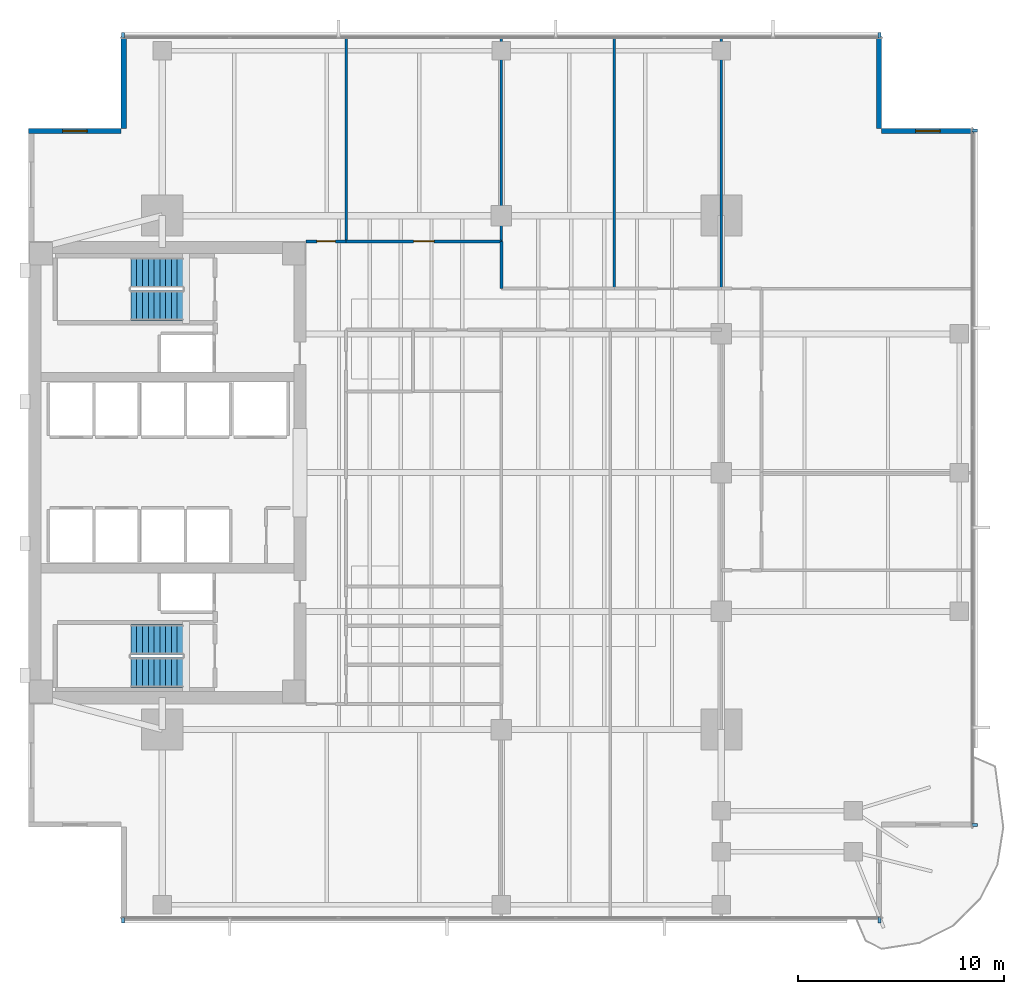
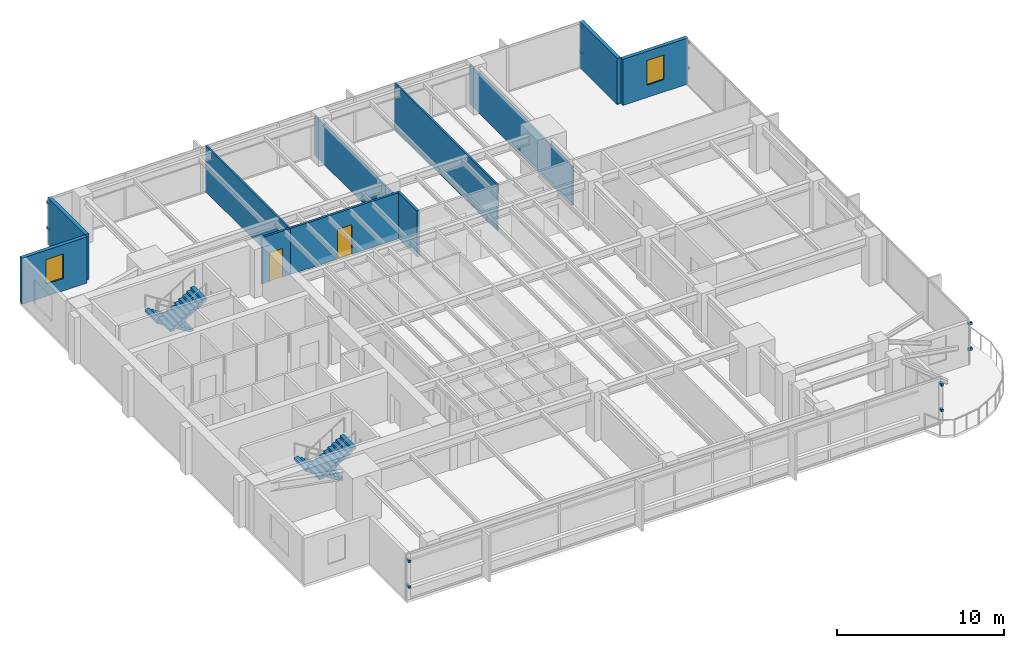
# One storey, part 10 of 14: 12 discrete accessories, 11 walls, 4 stair flights, 2 doors, 2 windows, 4 openings, 2 elements without a shape of their own.
"""IFC4 building model written with IfcOpenShell, lengths in metres."""

from ifc_helpers import new_model, si_unit, direction, frame, frame_2d, origin, origin_2d, place, context, subcontext, project, spatial, polyline, rectangle, outline, extrude, material, layer, layer_set, type_object, element, fill, aggregate, save


model = new_model("IFC4")

# Units and contexts
model_context = context("Model", 3, precision=1e-05, world=origin(), true_north=direction((0.0, 1.0)))
body_context = subcontext(model_context, "Body", "Model", "MODEL_VIEW")
ifc_project = project(units=[si_unit("LENGTHUNIT", "METRE"), si_unit("AREAUNIT", "SQUARE_METRE"), si_unit("VOLUMEUNIT", "CUBIC_METRE"), si_unit("PLANEANGLEUNIT", "RADIAN"), si_unit("MASSUNIT", "GRAM", prefix="KILO")], contexts=[model_context])

# Site, building, storey
site_placement = place(None, origin())
site = spatial("IfcSite", under=ifc_project, at=site_placement, CompositionType="ELEMENT")
building_placement = place(site_placement, origin())
building = spatial("IfcBuilding", under=site, at=building_placement, Name="Kinhvarn Gate Tower", CompositionType="ELEMENT")
storey_placement = place(building_placement, frame((0.0, 0.0, 120.0)))
storey = spatial("IfcBuildingStorey", under=building, at=storey_placement, Name="L31", CompositionType="ELEMENT", Elevation=120.0)

# Wall, opening, window
ifc_material_1 = material(Name="Fired architectural terracotta", Category="masonry")
ifc_layer_1 = layer(ifc_material_1, 0.25)
ifc_layer_set_1 = layer_set([ifc_layer_1], Name="Fired architectural terracotta")
wall_type_1 = type_object("IfcWallType", Name="WL-EXT-250", PredefinedType="SOLIDWALL", material=ifc_layer_set_1)
wall_1_placement = place(storey_placement, frame((50.5, 41.875, 0.0), z_axis=(0.0, 0.0, 1.0), x_axis=(-1.0, 0.0, 0.0)))
wall_1 = element("IfcWall", 1, at=wall_1_placement, inside=storey, type_object=wall_type_1, Name="Exterior Solidwall Wall EW-250 (L31 NE-Notch-1)", PredefinedType="SOLIDWALL", context=body_context, shape_type="SweptSolid", body=[
    extrude(rectangle(XDim=4.5, YDim=0.25, at=frame_2d((2.25, 0.0))), origin(), (0.0, 0.0, 1.0), 3.3701171875),
])
opening_1_placement = place(wall_1_placement, frame((1.64990234375, 0.0, 0.89990234375)))
opening_1 = element("IfcOpeningElement", 2, at=opening_1_placement, cuts=wall_1, Name="Opening WN-02", PredefinedType="OPENING", context=body_context, shape_type="SweptSolid", body=[
    extrude(rectangle(XDim=1.199951171875, YDim=1.800048828125, at=frame_2d((0.60009765625, 0.89990234375))), frame((0.0, 0.135009765625, 0.0), z_axis=(0.0, -1.0, 0.0), x_axis=(1.0, 0.0, 0.0)), (0.0, 0.0, 1.0), 0.27001953125),
])
ifc_material_2 = material(Name="Clear low-e double glazing", Category="glass")
window_type = type_object("IfcWindowType", Name="WIN-NTC-1200", PartitioningType="SINGLE_PANEL", PredefinedType="WINDOW", material=ifc_material_2)
window_1_placement = place(opening_1_placement, origin())
window_1 = element("IfcWindow", 3, at=window_1_placement, inside=storey, type_object=window_type, Name="Recessed Corner Notch Punched Window 1200x1800 mm (L31)", OverallHeight=1.800048828125, OverallWidth=1.199951171875, PartitioningType="SINGLE_PANEL", PredefinedType="WINDOW", context=body_context, shape_type="SweptSolid", body=[
    extrude(rectangle(XDim=1.199951171875, YDim=1.800048828125, at=frame_2d((0.60009765625, 0.89990234375))), frame((0.0, 0.030029296875, 0.0), z_axis=(0.0, -1.0, 0.0), x_axis=(1.0, 0.0, 0.0)), (0.0, 0.0, 1.0), 0.06005859375),
])
fill(opening_1, window_1)

# Walls
for number, where, z_axis, x_axis, name in (
    (4, (45.875, 42.0, 0.0), (0.0, 0.0, 1.0), (0.0, 1.0, 0.0), "Exterior Solidwall Wall EW-250 (L31 NE-Notch-2)"),
    (5, (9.125, 46.5, 0.0), (0.0, 0.0, 1.0), (0.0, -1.0, 0.0), "Exterior Solidwall Wall EW-250 (L31 NW-Notch-1)"),
):
    element("IfcWall", number, at=place(storey_placement, frame(where, z_axis=z_axis, x_axis=x_axis)), inside=storey, type_object=wall_type_1, Name=name, PredefinedType="SOLIDWALL", context=body_context, shape_type="SweptSolid", body=[
        extrude(rectangle(XDim=4.5, YDim=0.25, at=frame_2d((2.25, 0.0))), origin(), (0.0, 0.0, 1.0), 3.3701171875),
    ])

# Wall, opening, window
wall_2_placement = place(storey_placement, frame((9.0, 41.875, 0.0), z_axis=(0.0, 0.0, 1.0), x_axis=(-1.0, 0.0, 0.0)))
wall_2 = element("IfcWall", 6, at=wall_2_placement, inside=storey, type_object=wall_type_1, Name="Exterior Solidwall Wall EW-250 (L31 NW-Notch-2)", PredefinedType="SOLIDWALL", context=body_context, shape_type="SweptSolid", body=[
    extrude(rectangle(XDim=4.5, YDim=0.25, at=frame_2d((2.25, 0.0))), origin(), (0.0, 0.0, 1.0), 3.3701171875),
])
opening_2_placement = place(wall_2_placement, frame((1.64990234375, 0.0, 0.89990234375)))
opening_2 = element("IfcOpeningElement", 7, at=opening_2_placement, cuts=wall_2, Name="Opening WN-02", PredefinedType="OPENING", context=body_context, shape_type="SweptSolid", body=[
    extrude(rectangle(XDim=1.199951171875, YDim=1.800048828125, at=frame_2d((0.60009765625, 0.89990234375))), frame((0.0, 0.135009765625, 0.0), z_axis=(0.0, -1.0, 0.0), x_axis=(1.0, 0.0, 0.0)), (0.0, 0.0, 1.0), 0.27001953125),
])
window_2_placement = place(opening_2_placement, origin())
window_2 = element("IfcWindow", 8, at=window_2_placement, inside=storey, type_object=window_type, Name="Recessed Corner Notch Punched Window 1200x1800 mm (L31)", OverallHeight=1.800048828125, OverallWidth=1.199951171875, PartitioningType="SINGLE_PANEL", PredefinedType="WINDOW", context=body_context, shape_type="SweptSolid", body=[
    extrude(rectangle(XDim=1.199951171875, YDim=1.800048828125, at=frame_2d((0.60009765625, 0.89990234375))), frame((0.0, 0.030029296875, 0.0), z_axis=(0.0, -1.0, 0.0), x_axis=(1.0, 0.0, 0.0)), (0.0, 0.0, 1.0), 0.06005859375),
])
fill(opening_2, window_2)

# Walls
ifc_material_3 = material(Name="Gypsum acoustic partition board")
ifc_layer_2 = layer(ifc_material_3, 0.1201171875)
ifc_layer_set_2 = layer_set([ifc_layer_2], Name="Gypsum acoustic partition board")
wall_type_2 = type_object("IfcWallType", Name="WL-PRT-120", PredefinedType="PARTITIONING", material=ifc_layer_set_2)
wall_3_placement = place(storey_placement, frame((19.949951171875, 36.5, 0.0), z_axis=(0.0, 0.0, 1.0), x_axis=(0.0, 1.0, 0.0)))
element("IfcWall", 9, at=wall_3_placement, inside=storey, type_object=wall_type_2, Name="Interior Partition PW-120 (L31)", PredefinedType="PARTITIONING", context=body_context, shape_type="SweptSolid", body=[
    extrude(rectangle(XDim=9.989990234375, YDim=0.1201171875, at=frame_2d((4.9951171875, 0.0))), origin(), (0.0, 0.0, 1.0), 3.3701171875),
])
wall_4_placement = place(storey_placement, frame((27.5, 36.5, 0.0), z_axis=(0.0, 0.0, 1.0), x_axis=(0.0, 1.0, 0.0)))
element("IfcWall", 10, at=wall_4_placement, inside=storey, type_object=wall_type_2, Name="Interior Partition PW-120 (L31)", PredefinedType="PARTITIONING", context=body_context, shape_type="SweptSolid", body=[
    extrude(rectangle(XDim=9.989990234375, YDim=0.1201171875, at=frame_2d((4.9951171875, 0.0))), origin(), (0.0, 0.0, 1.0), 2.8701171875),
])
wall_5_placement = place(storey_placement, frame((33.0, 34.199951171875, 0.0), z_axis=(0.0, 0.0, 1.0), x_axis=(0.0, 1.0, 0.0)))
element("IfcWall", 11, at=wall_5_placement, inside=storey, type_object=wall_type_2, Name="Interior Partition PW-120 (L31)", PredefinedType="PARTITIONING", context=body_context, shape_type="SweptSolid", body=[
    extrude(rectangle(XDim=12.2900390625, YDim=0.1201171875, at=frame_2d((6.14501953125, 0.0))), origin(), (0.0, 0.0, 1.0), 3.3701171875),
])
wall_6_placement = place(storey_placement, frame((38.199951171875, 34.199951171875, 0.0), z_axis=(0.0, 0.0, 1.0), x_axis=(0.0, 1.0, 0.0)))
element("IfcWall", 12, at=wall_6_placement, inside=storey, type_object=wall_type_2, Name="Interior Partition PW-120 (L31)", PredefinedType="PARTITIONING", context=body_context, shape_type="SweptSolid", body=[
    extrude(rectangle(XDim=12.2900390625, YDim=0.1201171875, at=frame_2d((6.14501953125, 0.0))), origin(), (0.0, 0.0, 1.0), 2.8701171875),
])

# Wall, opening, door
ifc_layer_3 = layer(ifc_material_3, 0.14990234375)
ifc_layer_set_3 = layer_set([ifc_layer_3], Name="Gypsum acoustic partition board")
wall_type_3 = type_object("IfcWallType", Name="WL-PRT-150F", PredefinedType="PARTITIONING", material=ifc_layer_set_3)
wall_7_placement = place(storey_placement, frame((18.0, 36.5, 0.0), z_axis=(0.0, 0.0, 1.0), x_axis=(1.0, 0.0, 0.0)))
wall_7 = element("IfcWall", 13, at=wall_7_placement, inside=storey, type_object=wall_type_3, Name="Interior Partition PW-150F (L31)", PredefinedType="PARTITIONING", context=body_context, shape_type="SweptSolid", body=[
    extrude(rectangle(XDim=1.949951171875, YDim=0.14990234375, at=frame_2d((0.97509765625, 0.0))), origin(), (0.0, 0.0, 1.0), 3.3701171875),
])
opening_3_placement = place(wall_7_placement, frame((0.52490234375, 0.0, 0.0)))
opening_3 = element("IfcOpeningElement", 14, at=opening_3_placement, cuts=wall_7, Name="Opening ID-03", PredefinedType="OPENING", context=body_context, shape_type="SweptSolid", body=[
    extrude(rectangle(XDim=0.89990234375, YDim=2.10009765625, at=frame_2d((0.449951171875, 1.050048828125))), frame((0.0, 0.0849609375, 0.0), z_axis=(0.0, -1.0, 0.0), x_axis=(1.0, 0.0, 0.0)), (0.0, 0.0, 1.0), 0.169921875),
])
ifc_material_4 = material(Name="Anodised aluminium AW-6063", Category="aluminium")
door_type_1 = type_object("IfcDoorType", Name="DR-INT-900", OperationType="NOTDEFINED", PredefinedType="DOOR", material=ifc_material_4)
door_1_placement = place(opening_3_placement, origin())
door_1 = element("IfcDoor", 15, at=door_1_placement, inside=storey, type_object=door_type_1, Name="Cellular Office & Restroom Door 900x2100 mm (L31)", OperationType="SINGLE_SWING_RIGHT", OverallHeight=2.10009765625, OverallWidth=0.89990234375, PredefinedType="DOOR", context=body_context, shape_type="SweptSolid", body=[
    extrude(rectangle(XDim=0.89990234375, YDim=2.10009765625, at=frame_2d((0.449951171875, 1.050048828125))), frame((0.0, 0.02490234375, 0.0), z_axis=(0.0, -1.0, 0.0), x_axis=(1.0, 0.0, 0.0)), (0.0, 0.0, 1.0), 0.050048828125),
])
fill(opening_3, door_1)

wall_8_placement = place(storey_placement, frame((19.949951171875, 36.5, 0.0), z_axis=(0.0, 0.0, 1.0), x_axis=(1.0, 0.0, 0.0)))
wall_8 = element("IfcWall", 16, at=wall_8_placement, inside=storey, type_object=wall_type_3, Name="Interior Partition PW-150F (L31)", PredefinedType="PARTITIONING", context=body_context, shape_type="SweptSolid", body=[
    extrude(rectangle(XDim=7.550048828125, YDim=0.14990234375, at=frame_2d((3.77490234375, 0.0))), origin(), (0.0, 0.0, 1.0), 3.3701171875),
])
opening_4_placement = place(wall_8_placement, frame((3.27490234375, 0.0, 0.0)))
opening_4 = element("IfcOpeningElement", 17, at=opening_4_placement, cuts=wall_8, Name="Opening ID-02", PredefinedType="OPENING", context=body_context, shape_type="SweptSolid", body=[
    extrude(rectangle(XDim=1.0, YDim=2.14990234375, at=frame_2d((0.5, 1.074951171875))), frame((0.0, 0.0849609375, 0.0), z_axis=(0.0, -1.0, 0.0), x_axis=(1.0, 0.0, 0.0)), (0.0, 0.0, 1.0), 0.169921875),
])
door_type_2 = type_object("IfcDoorType", Name="DR-INT-1000", OperationType="NOTDEFINED", PredefinedType="DOOR", material=ifc_material_4)
door_2_placement = place(opening_4_placement, origin())
door_2 = element("IfcDoor", 18, at=door_2_placement, inside=storey, type_object=door_type_2, Name="Standard Office & Meeting Room Door 1000x2150 mm (L31)", OperationType="SINGLE_SWING_RIGHT", OverallHeight=2.14990234375, OverallWidth=1.0, PredefinedType="DOOR", context=body_context, shape_type="SweptSolid", body=[
    extrude(rectangle(XDim=1.0, YDim=2.14990234375, at=frame_2d((0.5, 1.074951171875))), frame((0.0, 0.02490234375, 0.0), z_axis=(0.0, -1.0, 0.0), x_axis=(1.0, 0.0, 0.0)), (0.0, 0.0, 1.0), 0.050048828125),
])
fill(opening_4, door_2)

# Wall
wall_9_placement = place(storey_placement, frame((27.5, 34.199951171875, 0.0), z_axis=(0.0, 0.0, 1.0), x_axis=(0.0, 1.0, 0.0)))
element("IfcWall", 19, at=wall_9_placement, inside=storey, type_object=wall_type_3, Name="Interior Partition PW-150F (L31)", PredefinedType="PARTITIONING", context=body_context, shape_type="SweptSolid", body=[
    extrude(rectangle(XDim=2.300048828125, YDim=0.14990234375, at=frame_2d((1.14990234375, 0.0))), origin(), (0.0, 0.0, 1.0), 3.3701171875),
])

# Stair, stair flights
ifc_material_5 = material(Name="Concrete C40/50", Category="concrete")
stair_type = type_object("IfcStairType", Name="STR-DLG-177", PredefinedType="HALF_TURN_STAIR", material=ifc_material_5)
stair_1_placement = place(storey_placement, origin())
stair_1 = element("IfcStair", 20, at=stair_1_placement, inside=storey, type_object=stair_type, Name="L31 Core Smokeproof Exit Stair ST1", PredefinedType="HALF_TURN_STAIR")
stair_flight_type = type_object("IfcStairFlightType", Name="STF-DLG-177", PredefinedType="STRAIGHT", material=ifc_material_5)
stair_flight_1_placement = place(storey_placement, frame((12.0, 17.125, 0.0), z_axis=(0.0, 0.0, 1.0), x_axis=(-1.0, 0.0, 0.0)))
stair_flight_1 = element("IfcStairFlight", 21, at=stair_flight_1_placement, type_object=stair_flight_type, Name="ST1 flight 1", NumberOfRisers=10, NumberOfTreads=9, PredefinedType="STRAIGHT", RiserHeight=0.1775, TreadLength=0.28, context=body_context, shape_type="SweptSolid", body=[
    extrude(outline(polyline([(0.0, 0.0), (0.0, 0.177490234375), (0.280029296875, 0.177490234375), (0.280029296875, 0.35498046875), (0.56005859375, 0.35498046875), (0.56005859375, 0.532470703125), (0.840087890625, 0.532470703125), (0.840087890625, 0.7099609375), (1.1201171875, 0.7099609375), (1.1201171875, 0.887451171875), (1.39990234375, 0.887451171875), (1.39990234375, 1.06494140625), (1.679931640625, 1.06494140625), (1.679931640625, 1.242431640625), (1.9599609375, 1.242431640625), (1.9599609375, 1.419921875), (2.239990234375, 1.419921875), (2.239990234375, 1.597412109375), (2.52001953125, 1.597412109375), (2.52001953125, 1.77490234375), (2.52001953125, 1.419921875), (0.280029296875, 0.0), (0.0, 0.0)])), frame((0.0, 0.72509765625, 0.0), z_axis=(0.0, -1.0, 0.0), x_axis=(1.0, 0.0, 0.0)), (0.0, 0.0, 1.0), 1.449951171875),
])
stair_flight_2_placement = place(storey_placement, frame((9.47998046875, 15.52490234375, 1.77490234375), z_axis=(0.0, 0.0, 1.0), x_axis=(1.0, 0.0, 0.0)))
stair_flight_2 = element("IfcStairFlight", 22, at=stair_flight_2_placement, type_object=stair_flight_type, Name="ST1 flight 2", NumberOfRisers=10, NumberOfTreads=9, PredefinedType="STRAIGHT", RiserHeight=0.1775, TreadLength=0.28, context=body_context, shape_type="SweptSolid", body=[
    extrude(outline(polyline([(0.0, 0.0), (0.0, 0.177490234375), (0.280029296875, 0.177490234375), (0.280029296875, 0.35498046875), (0.56005859375, 0.35498046875), (0.56005859375, 0.532470703125), (0.840087890625, 0.532470703125), (0.840087890625, 0.7099609375), (1.1201171875, 0.7099609375), (1.1201171875, 0.887451171875), (1.39990234375, 0.887451171875), (1.39990234375, 1.06494140625), (1.679931640625, 1.06494140625), (1.679931640625, 1.242431640625), (1.9599609375, 1.242431640625), (1.9599609375, 1.419921875), (2.239990234375, 1.419921875), (2.239990234375, 1.597412109375), (2.52001953125, 1.597412109375), (2.52001953125, 1.77490234375), (2.52001953125, 1.419921875), (0.280029296875, 0.0), (0.0, 0.0)])), frame((0.0, 0.72509765625, 0.0), z_axis=(0.0, -1.0, 0.0), x_axis=(1.0, 0.0, 0.0)), (0.0, 0.0, 1.0), 1.449951171875),
])
aggregate(stair_1, [stair_flight_1, stair_flight_2])

stair_2_placement = place(storey_placement, origin())
stair_2 = element("IfcStair", 23, at=stair_2_placement, inside=storey, type_object=stair_type, Name="L31 Core Smokeproof Exit Stair ST2", PredefinedType="HALF_TURN_STAIR")
stair_flight_3_placement = place(storey_placement, frame((12.0, 34.97509765625, 0.0), z_axis=(0.0, 0.0, 1.0), x_axis=(-1.0, 0.0, 0.0)))
stair_flight_3 = element("IfcStairFlight", 24, at=stair_flight_3_placement, type_object=stair_flight_type, Name="ST2 flight 1", NumberOfRisers=10, NumberOfTreads=9, PredefinedType="STRAIGHT", RiserHeight=0.1775, TreadLength=0.28, context=body_context, shape_type="SweptSolid", body=[
    extrude(outline(polyline([(0.0, 0.0), (0.0, 0.177490234375), (0.280029296875, 0.177490234375), (0.280029296875, 0.35498046875), (0.56005859375, 0.35498046875), (0.56005859375, 0.532470703125), (0.840087890625, 0.532470703125), (0.840087890625, 0.7099609375), (1.1201171875, 0.7099609375), (1.1201171875, 0.887451171875), (1.39990234375, 0.887451171875), (1.39990234375, 1.06494140625), (1.679931640625, 1.06494140625), (1.679931640625, 1.242431640625), (1.9599609375, 1.242431640625), (1.9599609375, 1.419921875), (2.239990234375, 1.419921875), (2.239990234375, 1.597412109375), (2.52001953125, 1.597412109375), (2.52001953125, 1.77490234375), (2.52001953125, 1.419921875), (0.280029296875, 0.0), (0.0, 0.0)])), frame((0.0, 0.72509765625, 0.0), z_axis=(0.0, -1.0, 0.0), x_axis=(1.0, 0.0, 0.0)), (0.0, 0.0, 1.0), 1.449951171875),
])
stair_flight_4_placement = place(storey_placement, frame((9.47998046875, 33.375, 1.77490234375), z_axis=(0.0, 0.0, 1.0), x_axis=(1.0, 0.0, 0.0)))
stair_flight_4 = element("IfcStairFlight", 25, at=stair_flight_4_placement, type_object=stair_flight_type, Name="ST2 flight 2", NumberOfRisers=10, NumberOfTreads=9, PredefinedType="STRAIGHT", RiserHeight=0.1775, TreadLength=0.28, context=body_context, shape_type="SweptSolid", body=[
    extrude(outline(polyline([(0.0, 0.0), (0.0, 0.177490234375), (0.280029296875, 0.177490234375), (0.280029296875, 0.35498046875), (0.56005859375, 0.35498046875), (0.56005859375, 0.532470703125), (0.840087890625, 0.532470703125), (0.840087890625, 0.7099609375), (1.1201171875, 0.7099609375), (1.1201171875, 0.887451171875), (1.39990234375, 0.887451171875), (1.39990234375, 1.06494140625), (1.679931640625, 1.06494140625), (1.679931640625, 1.242431640625), (1.9599609375, 1.242431640625), (1.9599609375, 1.419921875), (2.239990234375, 1.419921875), (2.239990234375, 1.597412109375), (2.52001953125, 1.597412109375), (2.52001953125, 1.77490234375), (2.52001953125, 1.419921875), (0.280029296875, 0.0), (0.0, 0.0)])), frame((0.0, 0.72509765625, 0.0), z_axis=(0.0, -1.0, 0.0), x_axis=(1.0, 0.0, 0.0)), (0.0, 0.0, 1.0), 1.449951171875),
])
aggregate(stair_2, [stair_flight_3, stair_flight_4])

# Discrete accessories
discrete_accessory_type = type_object("IfcDiscreteAccessoryType", Name="ACC-BRK-01", PredefinedType="BRACKET", material=ifc_material_4)
for number, where, z_axis, x_axis, name in (
    (26, (9.10009765625, 3.469970703125, 0.9599609375), (0.0, 0.0, 1.0), (1.0, 0.0, 0.0), "Baguette Support Bracket BK-01 (L31)"),
    (27, (9.10009765625, 3.469970703125, 2.830078125), (0.0, 0.0, 1.0), (1.0, 0.0, 0.0), "Baguette Support Bracket BK-01 (L31)"),
    (28, (45.89990234375, 3.469970703125, 0.9599609375), (0.0, 0.0, 1.0), (1.0, 0.0, 0.0), "Baguette Support Bracket BK-01 (L31)"),
    (29, (45.89990234375, 3.469970703125, 2.830078125), (0.0, 0.0, 1.0), (1.0, 0.0, 0.0), "Baguette Support Bracket BK-01 (L31)"),
    (30, (45.89990234375, 46.530029296875, 0.9599609375), (0.0, 0.0, 1.0), (-1.0, 0.0, 0.0), "Baguette Support Bracket BK-01 (L31)"),
    (31, (45.89990234375, 46.530029296875, 2.830078125), (0.0, 0.0, 1.0), (-1.0, 0.0, 0.0), "Baguette Support Bracket BK-01 (L31)"),
    (32, (9.10009765625, 46.530029296875, 0.9599609375), (0.0, 0.0, 1.0), (-1.0, 0.0, 0.0), "Baguette Support Bracket BK-01 (L31)"),
    (33, (9.10009765625, 46.530029296875, 2.830078125), (0.0, 0.0, 1.0), (-1.0, 0.0, 0.0), "Baguette Support Bracket BK-01 (L31)"),
    (34, (50.530029296875, 8.10009765625, 0.9599609375), (0.0, 0.0, 1.0), (0.0, 1.0, 0.0), "Baguette Support Bracket BK-01 (L31)"),
    (35, (50.530029296875, 8.10009765625, 2.830078125), (0.0, 0.0, 1.0), (0.0, 1.0, 0.0), "Baguette Support Bracket BK-01 (L31)"),
    (36, (50.530029296875, 41.89990234375, 0.9599609375), (0.0, 0.0, 1.0), (0.0, 1.0, 0.0), "Baguette Support Bracket BK-01 (L31)"),
    (37, (50.530029296875, 41.89990234375, 2.830078125), (0.0, 0.0, 1.0), (0.0, 1.0, 0.0), "Baguette Support Bracket BK-01 (L31)"),
):
    element("IfcDiscreteAccessory", number, at=place(storey_placement, frame(where, z_axis=z_axis, x_axis=x_axis)), inside=storey, type_object=discrete_accessory_type, Name=name, PredefinedType="BRACKET", context=body_context, shape_type="SweptSolid", body=[
        extrude(rectangle(XDim=0.139892578125, YDim=0.280029296875, at=origin_2d()), origin(), (0.0, 0.0, 1.0), 0.179931640625),
    ])

save(model, "model.ifc")
